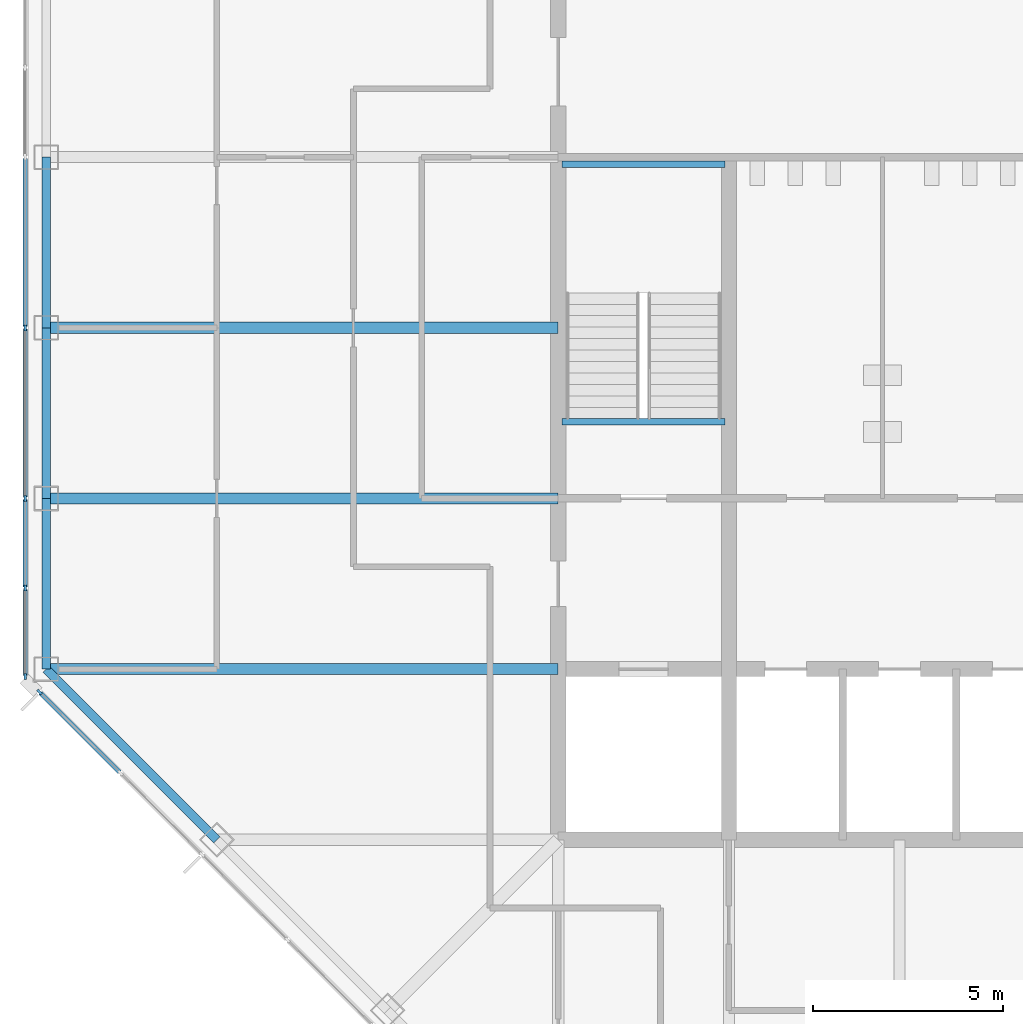
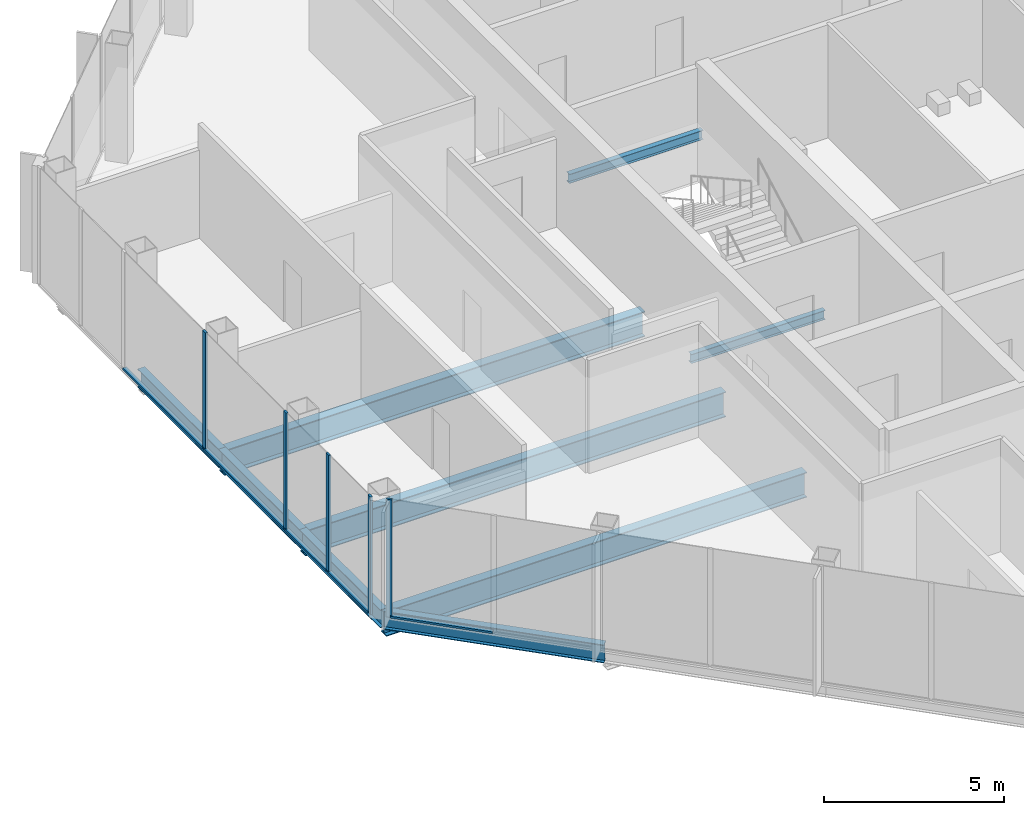
# One storey, part 3 of 14: 10 members, 9 beams, 2 elements without a shape of their own.
"""IFC4 building model written with IfcOpenShell, lengths in metres."""

from ifc_helpers import new_model, si_unit, direction, frame, origin, origin_2d, place, context, subcontext, project, spatial, rectangle, i_section, extrude, material, material_profile, profile_set, type_object, element, aggregate, save


model = new_model("IFC4")

# Units and contexts
model_context = context("Model", 3, precision=1e-05, world=origin(), true_north=direction((0.0, 1.0)))
body_context = subcontext(model_context, "Body", "Model", "MODEL_VIEW")
ifc_project = project(units=[si_unit("LENGTHUNIT", "METRE"), si_unit("AREAUNIT", "SQUARE_METRE"), si_unit("VOLUMEUNIT", "CUBIC_METRE"), si_unit("PLANEANGLEUNIT", "RADIAN"), si_unit("MASSUNIT", "GRAM", prefix="KILO")], contexts=[model_context])

# Site, building, storey
site_placement = place(None, origin())
site = spatial("IfcSite", under=ifc_project, at=site_placement, CompositionType="ELEMENT")
building_placement = place(site_placement, origin())
building = spatial("IfcBuilding", under=site, at=building_placement, Name="Corais Broadcast Tower", CompositionType="ELEMENT")
storey_placement = place(building_placement, frame((0.0, 0.0, 214.60009765625)))
storey = spatial("IfcBuildingStorey", under=building, at=storey_placement, Name="L49", CompositionType="ELEMENT", Elevation=214.60009765625)

# Beams
ifc_material_1 = material(Name="Steel ASTM A572 Grade 50", Category="steel")
ifc_material_profile_1 = material_profile(ifc_material_1, i_section(OverallWidth=0.2939453125, OverallDepth=0.85107421875, WebThickness=0.01611328125, FlangeThickness=0.02685546875, at=origin_2d()), Name="W840x226")
ifc_profile_set_1 = profile_set([ifc_material_profile_1], Name="Steel ASTM A572 Grade 50")
beam_type_1 = type_object("IfcBeamType", Name="Floor beam W840x226", PredefinedType="BEAM", material=ifc_profile_set_1)
for number, where, z_axis, x_axis, name in (
    (1, (0.0, 18.0, -0.585693359375), (1.0, 0.0, 0.0), (0.0, 1.0, 0.0), "B1 E/3 to E/6"),
    (2, (0.0, 22.5, -0.585693359375), (1.0, 0.0, 0.0), (0.0, 1.0, 0.0), "B1 F/3 to F/6"),
    (3, (0.0, 27.0, -0.585693359375), (1.0, 0.0, 0.0), (0.0, 1.0, 0.0), "B1 G/3 to G/6"),
):
    element("IfcBeam", number, at=place(storey_placement, frame(where, z_axis=z_axis, x_axis=x_axis)), inside=storey, type_object=beam_type_1, Name=name, PredefinedType="BEAM", context=body_context, shape_type="SweptSolid", body=[
        extrude(i_section(OverallWidth=0.2939453125, OverallDepth=0.85107421875, WebThickness=0.01611328125, FlangeThickness=0.02685546875, at=origin_2d()), origin(), (0.0, 0.0, 1.0), 13.5),
    ])
ifc_material_2 = material(Name="Steel ASTM A572 Grade 50", Category="steel")
ifc_material_profile_2 = material_profile(ifc_material_2, i_section(OverallWidth=0.1650390625, OverallDepth=0.31005859375, WebThickness=0.005859375, FlangeThickness=0.009765625, at=origin_2d()), Name="W310x38.7")
ifc_profile_set_2 = profile_set([ifc_material_profile_2], Name="Steel ASTM A572 Grade 50")
beam_type_2 = type_object("IfcBeamType", Name="Landing trimmer W310x38.7", PredefinedType="BEAM", material=ifc_profile_set_2)
for number, where, z_axis, x_axis, name in (
    (4, (13.60009765625, 24.52490234375, -0.35498046875), (1.0, 0.0, 0.0), (0.0, 1.0, 0.0), "LT1 stair A landing trimmer L49"),
    (5, (13.60009765625, 31.31005859375, 1.64501953125), (1.0, 0.0, 0.0), (0.0, 1.0, 0.0), "LT1 stair A half landing trimmer L49"),
):
    element("IfcBeam", number, at=place(storey_placement, frame(where, z_axis=z_axis, x_axis=x_axis)), inside=storey, type_object=beam_type_2, Name=name, PredefinedType="BEAM", context=body_context, shape_type="SweptSolid", body=[
        extrude(i_section(OverallWidth=0.1650390625, OverallDepth=0.31005859375, WebThickness=0.005859375, FlangeThickness=0.009765625, at=origin_2d()), origin(), (0.0, 0.0, 1.0), 4.2998046875),
    ])

# Curtain wall, member
ifc_material_3 = material(Name="Aluminium and glass", Category="aluminium")
curtain_wall_type = type_object("IfcCurtainWallType", Name="Unitised fritted curtain wall CW3", PredefinedType="NOTDEFINED", material=ifc_material_3)
curtain_wall_1_placement = place(storey_placement, origin())
curtain_wall_1 = element("IfcCurtainWall", 6, at=curtain_wall_1_placement, inside=storey, type_object=curtain_wall_type, Name="CW3 curtain wall L49 1", PredefinedType="NOTDEFINED")
ifc_material_4 = material(Name="Aluminium 6063-T6", Category="aluminium")
ifc_material_profile_3 = material_profile(ifc_material_4, rectangle(XDim=0.06494140625, YDim=0.159912109375, at=origin_2d()), Name="Mullion CW3 65x160")
ifc_profile_set_3 = profile_set([ifc_material_profile_3], Name="Aluminium 6063-T6")
member_type_1 = type_object("IfcMemberType", Name="Mullion CW3 65x160", PredefinedType="MULLION", material=ifc_profile_set_3)
member_1_placement = place(storey_placement, frame((-0.17333984375, 17.3955078125, 0.0), z_axis=(0.0, 0.0, 1.0), x_axis=(-0.707106781187, -0.707106781187, 0.0)))
member_1 = element("IfcMember", 7, at=member_1_placement, type_object=member_type_1, Name="CW3 mullion 9", PredefinedType="MULLION", context=body_context, shape_type="SweptSolid", body=[
    extrude(rectangle(XDim=0.06494140625, YDim=0.159912109375, at=origin_2d()), origin(), (0.0, 0.0, 1.0), 4.0),
])

# Curtain wall, members
curtain_wall_2_placement = place(storey_placement, origin())
curtain_wall_2 = element("IfcCurtainWall", 8, at=curtain_wall_2_placement, inside=storey, type_object=curtain_wall_type, Name="CW3 curtain wall L49 2", PredefinedType="NOTDEFINED")
member_2_placement = place(storey_placement, frame((-0.550048828125, 17.8046875, 0.0), z_axis=(0.0, 0.0, 1.0), x_axis=(-1.0, 0.0, 0.0)))
member_2 = element("IfcMember", 9, at=member_2_placement, type_object=member_type_1, Name="CW3 mullion 1", PredefinedType="MULLION", context=body_context, shape_type="SweptSolid", body=[
    extrude(rectangle(XDim=0.06494140625, YDim=0.159912109375, at=origin_2d()), origin(), (0.0, 0.0, 1.0), 4.0),
])
member_3_placement = place(storey_placement, frame((-0.550048828125, 20.135986328125, 0.0), z_axis=(0.0, 0.0, 1.0), x_axis=(-1.0, 0.0, 0.0)))
member_3 = element("IfcMember", 10, at=member_3_placement, type_object=member_type_1, Name="CW3 mullion 2", PredefinedType="MULLION", context=body_context, shape_type="SweptSolid", body=[
    extrude(rectangle(XDim=0.06494140625, YDim=0.159912109375, at=origin_2d()), origin(), (0.0, 0.0, 1.0), 4.0),
])
member_4_placement = place(storey_placement, frame((-0.550048828125, 22.5, 0.0), z_axis=(0.0, 0.0, 1.0), x_axis=(-1.0, 0.0, 0.0)))
member_4 = element("IfcMember", 11, at=member_4_placement, type_object=member_type_1, Name="CW3 mullion 3", PredefinedType="MULLION", context=body_context, shape_type="SweptSolid", body=[
    extrude(rectangle(XDim=0.06494140625, YDim=0.159912109375, at=origin_2d()), origin(), (0.0, 0.0, 1.0), 4.0),
])
member_5_placement = place(storey_placement, frame((-0.550048828125, 27.0, 0.0), z_axis=(0.0, 0.0, 1.0), x_axis=(-1.0, 0.0, 0.0)))
member_5 = element("IfcMember", 12, at=member_5_placement, type_object=member_type_1, Name="CW3 mullion 4", PredefinedType="MULLION", context=body_context, shape_type="SweptSolid", body=[
    extrude(rectangle(XDim=0.06494140625, YDim=0.159912109375, at=origin_2d()), origin(), (0.0, 0.0, 1.0), 4.0),
])

# Beams
ifc_material_5 = material(Name="Steel ASTM A572 Grade 50", Category="steel")
ifc_material_profile_4 = material_profile(ifc_material_5, i_section(OverallWidth=0.22998046875, OverallDepth=0.616943359375, WebThickness=0.01318359375, FlangeThickness=0.022216796875, at=origin_2d()), Name="W610x140")
ifc_profile_set_4 = profile_set([ifc_material_profile_4], Name="Steel ASTM A572 Grade 50")
beam_type_3 = type_object("IfcBeamType", Name="Spandrel W610x140", PredefinedType="BEAM", material=ifc_profile_set_4)
beam_placement = place(storey_placement, frame((0.0, 18.0, -0.468505859375), z_axis=(0.707106781187, -0.707106781187, 0.0), x_axis=(0.707106781187, 0.707106781187, 0.0)))
element("IfcBeam", 13, at=beam_placement, inside=storey, type_object=beam_type_3, Name="SB3 E/3 to D/4", PredefinedType="BEAM", context=body_context, shape_type="SweptSolid", body=[
    extrude(i_section(OverallWidth=0.22998046875, OverallDepth=0.616943359375, WebThickness=0.01318359375, FlangeThickness=0.022216796875, at=origin_2d()), origin(), (0.0, 0.0, 1.0), 6.364013671875),
])
for number, where, z_axis, x_axis, name in (
    (14, (0.0, 22.5, -0.468505859375), (0.0, -1.0, 0.0), (1.0, 0.0, 0.0), "SB3 F/3 to E/3"),
    (15, (0.0, 27.0, -0.468505859375), (0.0, -1.0, 0.0), (1.0, 0.0, 0.0), "SB3 G/3 to F/3"),
    (16, (0.0, 31.5, -0.468505859375), (0.0, -1.0, 0.0), (1.0, 0.0, 0.0), "SB3 H/3 to G/3"),
):
    element("IfcBeam", number, at=place(storey_placement, frame(where, z_axis=z_axis, x_axis=x_axis)), inside=storey, type_object=beam_type_3, Name=name, PredefinedType="BEAM", context=body_context, shape_type="SweptSolid", body=[
        extrude(i_section(OverallWidth=0.22998046875, OverallDepth=0.616943359375, WebThickness=0.01318359375, FlangeThickness=0.022216796875, at=origin_2d()), origin(), (0.0, 0.0, 1.0), 4.5),
    ])

# Member
ifc_material_6 = material(Name="Aluminium 6063-T6", Category="aluminium")
ifc_material_profile_5 = material_profile(ifc_material_6, rectangle(XDim=0.1201171875, YDim=0.06494140625, at=origin_2d()), Name="Transom CW3 65x120")
ifc_profile_set_5 = profile_set([ifc_material_profile_5], Name="Aluminium 6063-T6")
member_type_2 = type_object("IfcMemberType", Name="Transom CW3 65x120", PredefinedType="USERDEFINED", material=ifc_profile_set_5)
member_6_placement = place(storey_placement, frame((1.934326171875, 15.287841796875, 0.032470703125), z_axis=(-0.707106781187, 0.707106781187, 0.0), x_axis=(-0.707106781187, -0.707106781187, 0.0)))
member_6 = element("IfcMember", 17, at=member_6_placement, type_object=member_type_2, Name="CW3 transom 8.1", ObjectType="TRANSOM", PredefinedType="USERDEFINED", context=body_context, shape_type="SweptSolid", body=[
    extrude(rectangle(XDim=0.1201171875, YDim=0.06494140625, at=origin_2d()), origin(), (0.0, 0.0, 1.0), 2.9482421875),
])

aggregate(curtain_wall_1, [member_1, member_6])

member_7_placement = place(storey_placement, frame((-0.550048828125, 17.837158203125, 0.032470703125), z_axis=(0.0, 1.0, 0.0), x_axis=(-1.0, 0.0, 0.0)))
member_7 = element("IfcMember", 18, at=member_7_placement, type_object=member_type_2, Name="CW3 transom 1.1", ObjectType="TRANSOM", PredefinedType="USERDEFINED", context=body_context, shape_type="SweptSolid", body=[
    extrude(rectangle(XDim=0.1201171875, YDim=0.06494140625, at=origin_2d()), origin(), (0.0, 0.0, 1.0), 2.266357421875),
])

member_8_placement = place(storey_placement, frame((-0.550048828125, 20.168701171875, 0.032470703125), z_axis=(0.0, 1.0, 0.0), x_axis=(-1.0, 0.0, 0.0)))
member_8 = element("IfcMember", 19, at=member_8_placement, type_object=member_type_2, Name="CW3 transom 2.1", ObjectType="TRANSOM", PredefinedType="USERDEFINED", context=body_context, shape_type="SweptSolid", body=[
    extrude(rectangle(XDim=0.1201171875, YDim=0.06494140625, at=origin_2d()), origin(), (0.0, 0.0, 1.0), 2.298828125),
])

member_9_placement = place(storey_placement, frame((-0.550048828125, 22.532470703125, 0.032470703125), z_axis=(0.0, 1.0, 0.0), x_axis=(-1.0, 0.0, 0.0)))
member_9 = element("IfcMember", 20, at=member_9_placement, type_object=member_type_2, Name="CW3 transom 3.1", ObjectType="TRANSOM", PredefinedType="USERDEFINED", context=body_context, shape_type="SweptSolid", body=[
    extrude(rectangle(XDim=0.1201171875, YDim=0.06494140625, at=origin_2d()), origin(), (0.0, 0.0, 1.0), 4.43505859375),
])

member_10_placement = place(storey_placement, frame((-0.550048828125, 27.032470703125, 0.032470703125), z_axis=(0.0, 1.0, 0.0), x_axis=(-1.0, 0.0, 0.0)))
member_10 = element("IfcMember", 21, at=member_10_placement, type_object=member_type_2, Name="CW3 transom 4.1", ObjectType="TRANSOM", PredefinedType="USERDEFINED", context=body_context, shape_type="SweptSolid", body=[
    extrude(rectangle(XDim=0.1201171875, YDim=0.06494140625, at=origin_2d()), origin(), (0.0, 0.0, 1.0), 4.43505859375),
])

aggregate(curtain_wall_2, [member_2, member_3, member_4, member_5, member_7, member_8, member_9, member_10])

save(model, "model.ifc")
